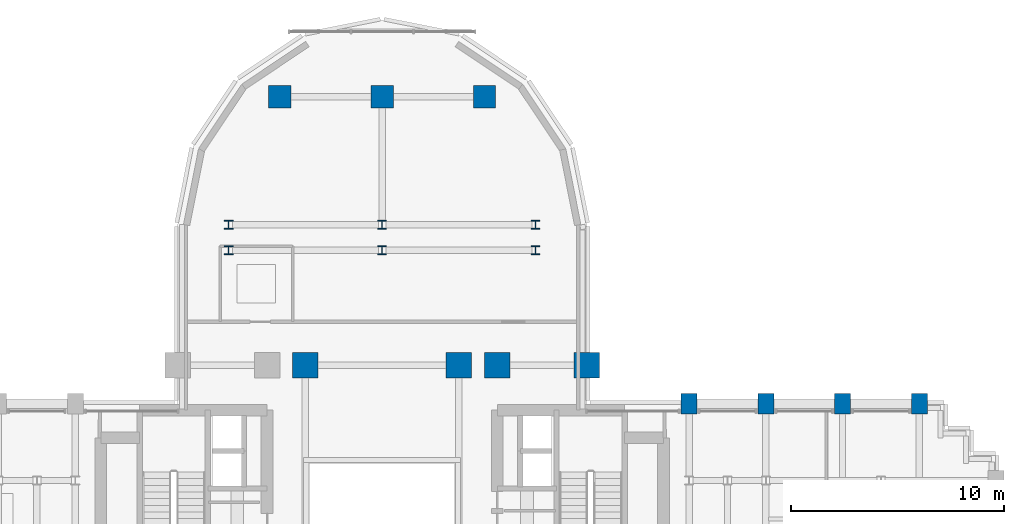
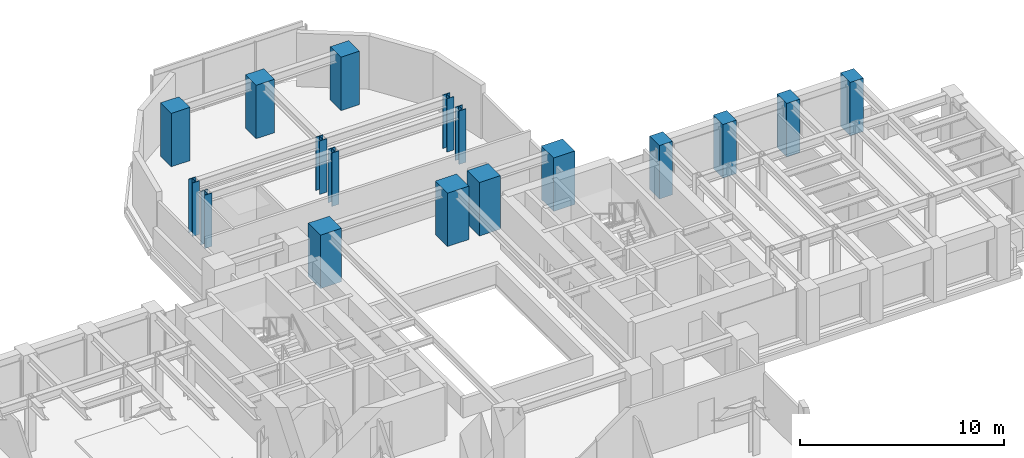
# One storey, part 2 of 16: 17 columns.
"""IFC4 building model written with IfcOpenShell, lengths in metres."""

from ifc_helpers import new_model, si_unit, direction, frame, origin, origin_2d, place, context, subcontext, project, spatial, rectangle, i_section, extrude, source, transform, mapped, material, material_profile, profile_set, type_object, element, save


model = new_model("IFC4")

# Units and contexts
model_context = context("Model", 3, precision=1e-05, world=origin(), true_north=direction((0.0, 1.0)))
body_context = subcontext(model_context, "Body", "Model", "MODEL_VIEW")
ifc_project = project(units=[si_unit("LENGTHUNIT", "METRE"), si_unit("AREAUNIT", "SQUARE_METRE"), si_unit("VOLUMEUNIT", "CUBIC_METRE"), si_unit("PLANEANGLEUNIT", "RADIAN"), si_unit("MASSUNIT", "GRAM", prefix="KILO")], contexts=[model_context])

# Site, building, storey
site_placement = place(None, origin())
site = spatial("IfcSite", under=ifc_project, at=site_placement, CompositionType="ELEMENT")
building_placement = place(site_placement, origin())
building = spatial("IfcBuilding", under=site, at=building_placement, Name="Keilestroom Media Tower", CompositionType="ELEMENT")
storey_placement = place(building_placement, frame((0.0, 0.0, 51.0)))
storey = spatial("IfcBuildingStorey", under=building, at=storey_placement, Name="L12", CompositionType="ELEMENT", Elevation=51.0)

# Columns
ifc_material_1 = material(Name="Precast concrete C40/50", Category="concrete")
ifc_material_profile_1 = material_profile(ifc_material_1, rectangle(XDim=0.75, YDim=0.949951171875, at=origin_2d()), Name="PC 950x750")
ifc_profile_set_1 = profile_set([ifc_material_profile_1], Name="Precast concrete C40/50")
column_type_1 = type_object("IfcColumnType", Name="Structural-Column-PC-950x750", PredefinedType="COLUMN", material=ifc_profile_set_1)
shared_shape_1 = source(origin(), body_context, "Body", "SweptSolid", [
    extrude(rectangle(XDim=0.75, YDim=0.949951171875, at=origin_2d()), origin(), (0.0, 0.0, 1.0), 3.199951171875),
])
for number, where, z_axis, x_axis, name in (
    (1, (14.39990234375, 7.199951171875, 0.0), (0.0, 0.0, 1.0), (1.0, 0.0, 0.0), "L12 Column PC-1 (+14.4,+7.2)"),
    (2, (18.0, 7.199951171875, 0.0), (0.0, 0.0, 1.0), (1.0, 0.0, 0.0), "L12 Column PC-1 (+18.0,+7.2)"),
    (3, (21.60009765625, 7.199951171875, 0.0), (0.0, 0.0, 1.0), (1.0, 0.0, 0.0), "L12 Column PC-1 (+21.6,+7.2)"),
    (4, (25.199951171875, 7.199951171875, 0.0), (0.0, 0.0, 1.0), (1.0, 0.0, 0.0), "L12 Column PC-1 (+25.2,+7.2)"),
):
    element("IfcColumn", number, at=place(storey_placement, frame(where, z_axis=z_axis, x_axis=x_axis)), inside=storey, type_object=column_type_1, Name=name, PredefinedType="COLUMN", context=body_context, shape_type="MappedRepresentation", body=[
        mapped(shared_shape_1, transform((0.0, 0.0, 0.0), x_axis=(1.0, 0.0, 0.0), y_axis=(0.0, 1.0, 0.0), z_axis=(0.0, 0.0, 1.0), scale=1.0)),
    ])
ifc_material_2 = material(Name="Steel S460", Category="steel")
ifc_material_profile_2 = material_profile(ifc_material_2, i_section(OverallWidth=0.404052734375, OverallDepth=0.406982421875, WebThickness=0.02197265625, FlangeThickness=0.035400390625, at=origin_2d()), Name="HD 400x347")
ifc_profile_set_2 = profile_set([ifc_material_profile_2], Name="Steel S460")
column_type_2 = type_object("IfcColumnType", Name="Structural-Column-HD-400x347", PredefinedType="COLUMN", material=ifc_profile_set_2)
shared_shape_2 = source(origin(), body_context, "Body", "SweptSolid", [
    extrude(i_section(OverallWidth=0.404052734375, OverallDepth=0.406982421875, WebThickness=0.02197265625, FlangeThickness=0.035400390625, at=origin_2d()), origin(), (0.0, 0.0, 1.0), 3.199951171875),
])
for number, where, z_axis, x_axis, name in (
    (5, (-7.199951171875, 14.39990234375, 0.0), (0.0, 0.0, 1.0), (1.0, 0.0, 0.0), "L12 Column SC-2 (-7.2,+14.4)"),
    (6, (-7.199951171875, 15.60009765625, 0.0), (0.0, 0.0, 1.0), (1.0, 0.0, 0.0), "L12 Column SC-2 (-7.2,+15.6)"),
    (7, (0.0, 14.39990234375, 0.0), (0.0, 0.0, 1.0), (1.0, 0.0, 0.0), "L12 Column SC-2 (+0.0,+14.4)"),
    (8, (0.0, 15.60009765625, 0.0), (0.0, 0.0, 1.0), (1.0, 0.0, 0.0), "L12 Column SC-2 (+0.0,+15.6)"),
    (9, (7.199951171875, 14.39990234375, 0.0), (0.0, 0.0, 1.0), (1.0, 0.0, 0.0), "L12 Column SC-2 (+7.2,+14.4)"),
    (10, (7.199951171875, 15.60009765625, 0.0), (0.0, 0.0, 1.0), (1.0, 0.0, 0.0), "L12 Column SC-2 (+7.2,+15.6)"),
):
    element("IfcColumn", number, at=place(storey_placement, frame(where, z_axis=z_axis, x_axis=x_axis)), inside=storey, type_object=column_type_2, Name=name, PredefinedType="COLUMN", context=body_context, shape_type="MappedRepresentation", body=[
        mapped(shared_shape_2, transform((0.0, 0.0, 0.0), x_axis=(1.0, 0.0, 0.0), y_axis=(0.0, 1.0, 0.0), z_axis=(0.0, 0.0, 1.0), scale=1.0)),
    ])
ifc_material_3 = material(Name="Concrete C70/85", Category="concrete")
ifc_material_profile_3 = material_profile(ifc_material_3, rectangle(XDim=1.199951171875, YDim=1.199951171875, at=origin_2d()), Name="RC 1200x1200")
ifc_profile_set_3 = profile_set([ifc_material_profile_3], Name="Concrete C70/85")
column_type_3 = type_object("IfcColumnType", Name="Structural-Column-RC-1200x1200", PredefinedType="COLUMN", material=ifc_profile_set_3)
shared_shape_3 = source(origin(), body_context, "Body", "SweptSolid", [
    extrude(rectangle(XDim=1.199951171875, YDim=1.199951171875, at=origin_2d()), origin(), (0.0, 0.0, 1.0), 3.199951171875),
])
for number, where, z_axis, x_axis, name in (
    (11, (-3.60009765625, 9.0, 0.0), (0.0, 0.0, 1.0), (1.0, 0.0, 0.0), "L12 Column MC-2 (-3.6,+9.0)"),
    (12, (3.60009765625, 9.0, 0.0), (0.0, 0.0, 1.0), (1.0, 0.0, 0.0), "L12 Column MC-2 (+3.6,+9.0)"),
    (13, (5.39990234375, 9.0, 0.0), (0.0, 0.0, 1.0), (1.0, 0.0, 0.0), "L12 Column MC-2 (+5.4,+9.0)"),
    (14, (9.60009765625, 9.0, 0.0), (0.0, 0.0, 1.0), (1.0, 0.0, 0.0), "L12 Column MC-2 (+9.6,+9.0)"),
):
    element("IfcColumn", number, at=place(storey_placement, frame(where, z_axis=z_axis, x_axis=x_axis)), inside=storey, type_object=column_type_3, Name=name, PredefinedType="COLUMN", context=body_context, shape_type="MappedRepresentation", body=[
        mapped(shared_shape_3, transform((0.0, 0.0, 0.0), x_axis=(1.0, 0.0, 0.0), y_axis=(0.0, 1.0, 0.0), z_axis=(0.0, 0.0, 1.0), scale=1.0)),
    ])
ifc_material_4 = material(Name="Concrete C55/67", Category="concrete")
ifc_material_profile_4 = material_profile(ifc_material_4, rectangle(XDim=1.050048828125, YDim=1.050048828125, at=origin_2d()), Name="RC 1050x1050")
ifc_profile_set_4 = profile_set([ifc_material_profile_4], Name="Concrete C55/67")
column_type_4 = type_object("IfcColumnType", Name="Structural-Column-RC-1050x1050", PredefinedType="COLUMN", material=ifc_profile_set_4)
shared_shape_4 = source(origin(), body_context, "Body", "SweptSolid", [
    extrude(rectangle(XDim=1.050048828125, YDim=1.050048828125, at=origin_2d()), origin(), (0.0, 0.0, 1.0), 3.199951171875),
])
for number, where, z_axis, x_axis, name in (
    (15, (-4.800048828125, 21.60009765625, 0.0), (0.0, 0.0, 1.0), (1.0, 0.0, 0.0), "L12 Column MC-3 (-4.8,+21.6)"),
    (16, (0.0, 21.60009765625, 0.0), (0.0, 0.0, 1.0), (1.0, 0.0, 0.0), "L12 Column MC-3 (+0.0,+21.6)"),
    (17, (4.800048828125, 21.60009765625, 0.0), (0.0, 0.0, 1.0), (1.0, 0.0, 0.0), "L12 Column MC-3 (+4.8,+21.6)"),
):
    element("IfcColumn", number, at=place(storey_placement, frame(where, z_axis=z_axis, x_axis=x_axis)), inside=storey, type_object=column_type_4, Name=name, PredefinedType="COLUMN", context=body_context, shape_type="MappedRepresentation", body=[
        mapped(shared_shape_4, transform((0.0, 0.0, 0.0), x_axis=(1.0, 0.0, 0.0), y_axis=(0.0, 1.0, 0.0), z_axis=(0.0, 0.0, 1.0), scale=1.0)),
    ])

save(model, "model.ifc")
